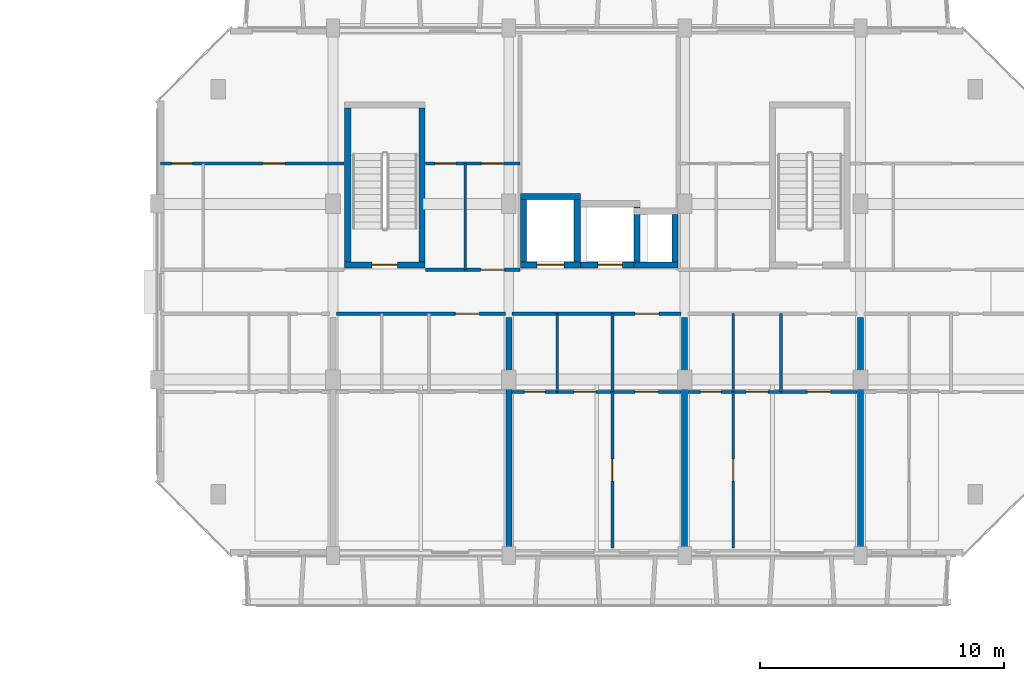
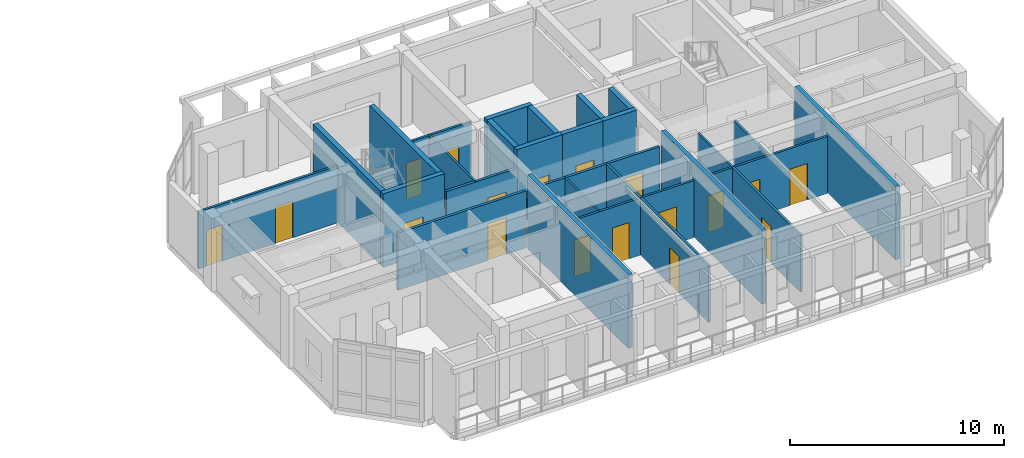
# One storey, part 57 of 85: 28 walls, 18 doors, 18 openings.
"""IFC4 building model written with IfcOpenShell, lengths in metres."""

from ifc_helpers import new_model, si_unit, direction, frame, frame_2d, origin, place, context, subcontext, project, spatial, rectangle, extrude, material, layer, layer_set, type_object, element, fill, save


model = new_model("IFC4")

# Units and contexts
model_context = context("Model", 3, precision=1e-05, world=origin(), true_north=direction((0.0, 1.0)))
body_context = subcontext(model_context, "Body", "Model", "MODEL_VIEW")
ifc_project = project(units=[si_unit("LENGTHUNIT", "METRE"), si_unit("AREAUNIT", "SQUARE_METRE"), si_unit("VOLUMEUNIT", "CUBIC_METRE"), si_unit("PLANEANGLEUNIT", "RADIAN"), si_unit("MASSUNIT", "GRAM", prefix="KILO")], contexts=[model_context])

# Site, building, storey
site_placement = place(None, origin())
site = spatial("IfcSite", under=ifc_project, at=site_placement, CompositionType="ELEMENT")
building_placement = place(site_placement, origin())
building = spatial("IfcBuilding", under=site, at=building_placement, Name="Ochrevale Crest", CompositionType="ELEMENT")
storey_placement = place(building_placement, frame((0.0, 0.0, 4.5)))
storey = spatial("IfcBuildingStorey", under=building, at=storey_placement, Name="L01", CompositionType="ELEMENT", Elevation=4.5)

# Wall, opening, door
ifc_material_1 = material(Name="Gypsum plasterboard", Category="gypsum")
ifc_layer_1 = layer(ifc_material_1, 0.139892578125)
ifc_layer_set_1 = layer_set([ifc_layer_1], Name="Gypsum plasterboard")
wall_type_1 = type_object("IfcWallType", Name="WL-COR-140", PredefinedType="PARTITIONING", material=ifc_layer_set_1)
wall_1_placement = place(storey_placement, frame((136.93994140625, 24.300048828125, 0.0), z_axis=(0.0, 0.0, 1.0), x_axis=(1.0, 0.0, 0.0)))
wall_1 = element("IfcWall", 1, at=wall_1_placement, inside=storey, type_object=wall_type_1, Name="Apartment C-L01-U2 corridor wall", PredefinedType="PARTITIONING", context=body_context, shape_type="SweptSolid", body=[
    extrude(rectangle(XDim=6.920166015625, YDim=0.139892578125, at=frame_2d((3.4599609375, 0.0))), origin(), (0.0, 0.0, 1.0), 3.25),
])
opening_1_placement = place(wall_1_placement, frame((4.8701171875, 0.0, 0.0)))
opening_1 = element("IfcOpeningElement", 2, at=opening_1_placement, cuts=wall_1, Name="Opening FD01", PredefinedType="OPENING", context=body_context, shape_type="SweptSolid", body=[
    extrude(rectangle(XDim=0.97998046875, YDim=2.10009765625, at=frame_2d((0.489990234375, 1.050048828125))), frame((0.0, 0.080078125, 0.0), z_axis=(0.0, -1.0, 0.0), x_axis=(1.0, 0.0, 0.0)), (0.0, 0.0, 1.0), 0.159912109375),
])
ifc_material_2 = material(Name="Solid-core FSC hardwood", Category="wood")
door_type_1 = type_object("IfcDoorType", Name="DR-APT-950", OperationType="NOTDEFINED", PredefinedType="DOOR", material=ifc_material_2)
door_1_placement = place(opening_1_placement, origin())
door_1 = element("IfcDoor", 3, at=door_1_placement, inside=storey, type_object=door_type_1, Name="Apartment C-L01-U2 entrance door", OperationType="SINGLE_SWING_LEFT", OverallHeight=2.10009765625, OverallWidth=0.97998046875, PredefinedType="DOOR", context=body_context, shape_type="SweptSolid", body=[
    extrude(rectangle(XDim=0.97998046875, YDim=2.10009765625, at=frame_2d((0.489990234375, 1.050048828125))), frame((0.0, 0.02490234375, 0.0), z_axis=(0.0, -1.0, 0.0), x_axis=(1.0, 0.0, 0.0)), (0.0, 0.0, 1.0), 0.050048828125),
])
fill(opening_1, door_1)

wall_2_placement = place(storey_placement, frame((144.139892578125, 24.300048828125, 0.0), z_axis=(0.0, 0.0, 1.0), x_axis=(1.0, 0.0, 0.0)))
wall_2 = element("IfcWall", 4, at=wall_2_placement, inside=storey, type_object=wall_type_1, Name="Apartment C-L01-U3 corridor wall", PredefinedType="PARTITIONING", context=body_context, shape_type="SweptSolid", body=[
    extrude(rectangle(XDim=6.920166015625, YDim=0.139892578125, at=frame_2d((3.4599609375, 0.0))), origin(), (0.0, 0.0, 1.0), 3.25),
])
opening_2_placement = place(wall_2_placement, frame((5.02001953125, 0.0, 0.0)))
opening_2 = element("IfcOpeningElement", 5, at=opening_2_placement, cuts=wall_2, Name="Opening FD01", PredefinedType="OPENING", context=body_context, shape_type="SweptSolid", body=[
    extrude(rectangle(XDim=0.97998046875, YDim=2.10009765625, at=frame_2d((0.489990234375, 1.050048828125))), frame((0.0, 0.080078125, 0.0), z_axis=(0.0, -1.0, 0.0), x_axis=(1.0, 0.0, 0.0)), (0.0, 0.0, 1.0), 0.159912109375),
])
door_2_placement = place(opening_2_placement, origin())
door_2 = element("IfcDoor", 6, at=door_2_placement, inside=storey, type_object=door_type_1, Name="Apartment C-L01-U3 entrance door", OperationType="SINGLE_SWING_LEFT", OverallHeight=2.10009765625, OverallWidth=0.97998046875, PredefinedType="DOOR", context=body_context, shape_type="SweptSolid", body=[
    extrude(rectangle(XDim=0.97998046875, YDim=2.10009765625, at=frame_2d((0.489990234375, 1.050048828125))), frame((0.0, 0.02490234375, 0.0), z_axis=(0.0, -1.0, 0.0), x_axis=(1.0, 0.0, 0.0)), (0.0, 0.0, 1.0), 0.050048828125),
])
fill(opening_2, door_2)

wall_3_placement = place(storey_placement, frame((140.590087890625, 26.10009765625, 0.0), z_axis=(0.0, 0.0, 1.0), x_axis=(1.0, 0.0, 0.0)))
wall_3 = element("IfcWall", 7, at=wall_3_placement, inside=storey, type_object=wall_type_1, Name="Suite C-L01-MW corridor wall", PredefinedType="PARTITIONING", context=body_context, shape_type="SweptSolid", body=[
    extrude(rectangle(XDim=3.869873046875, YDim=0.139892578125, at=frame_2d((1.93505859375, 0.0))), origin(), (0.0, 0.0, 1.0), 3.25),
])
opening_3_placement = place(wall_3_placement, frame((2.2578125, 0.0, 0.0)))
opening_3 = element("IfcOpeningElement", 8, at=opening_3_placement, cuts=wall_3, Name="Opening FD01", PredefinedType="OPENING", context=body_context, shape_type="SweptSolid", body=[
    extrude(rectangle(XDim=0.97998046875, YDim=2.10009765625, at=frame_2d((0.489990234375, 1.050048828125))), frame((0.0, 0.080078125, 0.0), z_axis=(0.0, -1.0, 0.0), x_axis=(1.0, 0.0, 0.0)), (0.0, 0.0, 1.0), 0.159912109375),
])
door_3_placement = place(opening_3_placement, origin())
door_3 = element("IfcDoor", 9, at=door_3_placement, inside=storey, type_object=door_type_1, Name="Suite C-L01-MW entrance door", OperationType="SINGLE_SWING_LEFT", OverallHeight=2.10009765625, OverallWidth=0.97998046875, PredefinedType="DOOR", context=body_context, shape_type="SweptSolid", body=[
    extrude(rectangle(XDim=0.97998046875, YDim=2.10009765625, at=frame_2d((0.489990234375, 1.050048828125))), frame((0.0, 0.02490234375, 0.0), z_axis=(0.0, -1.0, 0.0), x_axis=(1.0, 0.0, 0.0)), (0.0, 0.0, 1.0), 0.050048828125),
])
fill(opening_3, door_3)

ifc_material_3 = material(Name="Precast concrete C50/60", Category="concrete")
ifc_layer_2 = layer(ifc_material_3, 0.2548828125)
ifc_layer_set_2 = layer_set([ifc_layer_2], Name="Precast concrete C50/60")
wall_type_2 = type_object("IfcWallType", Name="WL-CORE-255", PredefinedType="SHEAR", material=ifc_layer_set_2)
wall_4_placement = place(storey_placement, frame((137.2724609375, 26.300048828125, 0.0), z_axis=(0.0, 0.0, 1.0), x_axis=(1.0, 0.0, 0.0)))
wall_4 = element("IfcWall", 10, at=wall_4_placement, inside=storey, type_object=wall_type_2, Name="Block C L01 Stair 1 precast core shear wall S", PredefinedType="SHEAR", context=body_context, shape_type="SweptSolid", body=[
    extrude(rectangle(XDim=3.304931640625, YDim=0.2548828125, at=frame_2d((1.65234375, 0.0))), origin(), (0.0, 0.0, 1.0), 4.199951171875),
])
opening_4_placement = place(wall_4_placement, frame((2.177490234375, 0.0, 0.0), z_axis=(0.0, 0.0, 1.0), x_axis=(-1.0, 0.0, 0.0)))
opening_4 = element("IfcOpeningElement", 11, at=opening_4_placement, cuts=wall_4, Name="Opening FD03", PredefinedType="OPENING", context=body_context, shape_type="SweptSolid", body=[
    extrude(rectangle(XDim=1.050048828125, YDim=2.1201171875, at=frame_2d((0.52490234375, 1.06005859375))), frame((0.0, 0.137451171875, 0.0), z_axis=(0.0, -1.0, 0.0), x_axis=(1.0, 0.0, 0.0)), (0.0, 0.0, 1.0), 0.27490234375),
])
door_type_2 = type_object("IfcDoorType", Name="DR-ST-1050", OperationType="NOTDEFINED", PredefinedType="DOOR", material=ifc_material_2)
door_4_placement = place(opening_4_placement, origin())
door_4 = element("IfcDoor", 12, at=door_4_placement, inside=storey, type_object=door_type_2, Name="Block C L01 fire stair 1 door", OperationType="SINGLE_SWING_RIGHT", OverallHeight=2.1201171875, OverallWidth=1.050048828125, PredefinedType="DOOR", context=body_context, shape_type="SweptSolid", body=[
    extrude(rectangle(XDim=1.050048828125, YDim=2.1201171875, at=frame_2d((0.52490234375, 1.06005859375))), frame((0.0, 0.02490234375, 0.0), z_axis=(0.0, -1.0, 0.0), x_axis=(1.0, 0.0, 0.0)), (0.0, 0.0, 1.0), 0.050048828125),
])
fill(opening_4, door_4)

# Walls
for number, where, z_axis, x_axis, name in (
    (13, (137.39990234375, 26.427490234375, 0.0), (0.0, 0.0, 1.0), (0.0, 1.0, 0.0), "Block C L01 Stair 1 precast core shear wall W"),
    (14, (140.449951171875, 26.427490234375, 0.0), (0.0, 0.0, 1.0), (0.0, 1.0, 0.0), "Block C L01 Stair 1 precast core shear wall E"),
):
    element("IfcWall", number, at=place(storey_placement, frame(where, z_axis=z_axis, x_axis=x_axis)), inside=storey, type_object=wall_type_2, Name=name, PredefinedType="SHEAR", context=body_context, shape_type="SweptSolid", body=[
        extrude(rectangle(XDim=6.294921875, YDim=0.2548828125, at=frame_2d((3.1474609375, 0.0))), origin(), (0.0, 0.0, 1.0), 4.199951171875),
    ])

# Wall, opening, door
wall_5_placement = place(storey_placement, frame((144.472412109375, 26.300048828125, 0.0), z_axis=(0.0, 0.0, 1.0), x_axis=(1.0, 0.0, 0.0)))
wall_5 = element("IfcWall", 15, at=wall_5_placement, inside=storey, type_object=wall_type_2, Name="Block C L01 Lift 1 precast shaft shear wall S", PredefinedType="SHEAR", context=body_context, shape_type="SweptSolid", body=[
    extrude(rectangle(XDim=2.455078125, YDim=0.2548828125, at=frame_2d((1.2275390625, 0.0))), origin(), (0.0, 0.0, 1.0), 4.199951171875),
])
opening_5_placement = place(wall_5_placement, frame((0.677490234375, 0.0, 0.0)))
opening_5 = element("IfcOpeningElement", 16, at=opening_5_placement, cuts=wall_5, Name="Opening LD01", PredefinedType="OPENING", context=body_context, shape_type="SweptSolid", body=[
    extrude(rectangle(XDim=1.10009765625, YDim=2.14990234375, at=frame_2d((0.550048828125, 1.074951171875))), frame((0.0, 0.137451171875, 0.0), z_axis=(0.0, -1.0, 0.0), x_axis=(1.0, 0.0, 0.0)), (0.0, 0.0, 1.0), 0.27490234375),
])
door_type_3 = type_object("IfcDoorType", Name="DR-LIFT-1100", OperationType="NOTDEFINED", PredefinedType="DOOR", material=ifc_material_2)
door_5_placement = place(opening_5_placement, origin())
door_5 = element("IfcDoor", 17, at=door_5_placement, inside=storey, type_object=door_type_3, Name="Lift LF-C1 L01 sliding landing door", OperationType="SLIDING_TO_LEFT", OverallHeight=2.14990234375, OverallWidth=1.10009765625, PredefinedType="DOOR", context=body_context, shape_type="SweptSolid", body=[
    extrude(rectangle(XDim=1.10009765625, YDim=2.14990234375, at=frame_2d((0.550048828125, 1.074951171875))), frame((0.0, 0.02490234375, 0.0), z_axis=(0.0, -1.0, 0.0), x_axis=(1.0, 0.0, 0.0)), (0.0, 0.0, 1.0), 0.050048828125),
])
fill(opening_5, door_5)

# Walls
wall_6_placement = place(storey_placement, frame((144.472412109375, 29.10009765625, 0.0), z_axis=(0.0, 0.0, 1.0), x_axis=(1.0, 0.0, 0.0)))
element("IfcWall", 18, at=wall_6_placement, inside=storey, type_object=wall_type_2, Name="Block C L01 Lift 1 precast shaft shear wall N", PredefinedType="SHEAR", context=body_context, shape_type="SweptSolid", body=[
    extrude(rectangle(XDim=2.455078125, YDim=0.2548828125, at=frame_2d((1.2275390625, 0.0))), origin(), (0.0, 0.0, 1.0), 4.199951171875),
])
for number, where, z_axis, x_axis, name in (
    (19, (144.60009765625, 26.427490234375, 0.0), (0.0, 0.0, 1.0), (0.0, 1.0, 0.0), "Block C L01 Lift 1 precast shaft shear wall W"),
    (20, (146.800048828125, 26.427490234375, 0.0), (0.0, 0.0, 1.0), (0.0, 1.0, 0.0), "Block C L01 Lift 1 precast shaft shear wall E"),
):
    element("IfcWall", number, at=place(storey_placement, frame(where, z_axis=z_axis, x_axis=x_axis)), inside=storey, type_object=wall_type_2, Name=name, PredefinedType="SHEAR", context=body_context, shape_type="SweptSolid", body=[
        extrude(rectangle(XDim=2.544921875, YDim=0.2548828125, at=frame_2d((1.2724609375, 0.0))), origin(), (0.0, 0.0, 1.0), 4.199951171875),
    ])

# Wall, opening, door
wall_7_placement = place(storey_placement, frame((146.922607421875, 26.300048828125, 0.0), z_axis=(0.0, 0.0, 1.0), x_axis=(1.0, 0.0, 0.0)))
wall_7 = element("IfcWall", 21, at=wall_7_placement, inside=storey, type_object=wall_type_2, Name="Block C L01 Lift 2 precast shaft shear wall S", PredefinedType="SHEAR", context=body_context, shape_type="SweptSolid", body=[
    extrude(rectangle(XDim=2.454833984375, YDim=0.2548828125, at=frame_2d((1.2275390625, 0.0))), origin(), (0.0, 0.0, 1.0), 4.199951171875),
])
opening_6_placement = place(wall_7_placement, frame((0.7275390625, 0.0, 0.0)))
opening_6 = element("IfcOpeningElement", 22, at=opening_6_placement, cuts=wall_7, Name="Opening LD02", PredefinedType="OPENING", context=body_context, shape_type="SweptSolid", body=[
    extrude(rectangle(XDim=1.0, YDim=2.14990234375, at=frame_2d((0.5, 1.074951171875))), frame((0.0, 0.137451171875, 0.0), z_axis=(0.0, -1.0, 0.0), x_axis=(1.0, 0.0, 0.0)), (0.0, 0.0, 1.0), 0.27490234375),
])
door_type_4 = type_object("IfcDoorType", Name="DR-LIFT-1000", OperationType="NOTDEFINED", PredefinedType="DOOR", material=ifc_material_2)
door_6_placement = place(opening_6_placement, origin())
door_6 = element("IfcDoor", 23, at=door_6_placement, inside=storey, type_object=door_type_4, Name="Lift LP-C2 L01 sliding landing door", OperationType="SLIDING_TO_RIGHT", OverallHeight=2.14990234375, OverallWidth=1.0, PredefinedType="DOOR", context=body_context, shape_type="SweptSolid", body=[
    extrude(rectangle(XDim=1.0, YDim=2.14990234375, at=frame_2d((0.5, 1.074951171875))), frame((0.0, 0.02490234375, 0.0), z_axis=(0.0, -1.0, 0.0), x_axis=(1.0, 0.0, 0.0)), (0.0, 0.0, 1.0), 0.050048828125),
])
fill(opening_6, door_6)

# Walls
wall_8_placement = place(storey_placement, frame((149.25, 26.427490234375, 0.0), z_axis=(0.0, 0.0, 1.0), x_axis=(0.0, 1.0, 0.0)))
element("IfcWall", 24, at=wall_8_placement, inside=storey, type_object=wall_type_2, Name="Block C L01 Lift 2 precast shaft shear wall E", PredefinedType="SHEAR", context=body_context, shape_type="SweptSolid", body=[
    extrude(rectangle(XDim=2.2451171875, YDim=0.2548828125, at=frame_2d((1.12255859375, 0.0))), origin(), (0.0, 0.0, 1.0), 4.199951171875),
])
wall_9_placement = place(storey_placement, frame((149.12255859375, 26.300048828125, 0.0), z_axis=(0.0, 0.0, 1.0), x_axis=(1.0, 0.0, 0.0)))
element("IfcWall", 25, at=wall_9_placement, inside=storey, type_object=wall_type_2, Name="Block C L01 services riser shaft core wall S", PredefinedType="SHEAR", context=body_context, shape_type="SweptSolid", body=[
    extrude(rectangle(XDim=1.804931640625, YDim=0.2548828125, at=frame_2d((0.90234375, 0.0))), origin(), (0.0, 0.0, 1.0), 4.199951171875),
])
wall_10_placement = place(storey_placement, frame((150.800048828125, 26.427490234375, 0.0), z_axis=(0.0, 0.0, 1.0), x_axis=(0.0, 1.0, 0.0)))
element("IfcWall", 26, at=wall_10_placement, inside=storey, type_object=wall_type_2, Name="Block C L01 services riser shaft core wall E", PredefinedType="SHEAR", context=body_context, shape_type="SweptSolid", body=[
    extrude(rectangle(XDim=1.945068359375, YDim=0.2548828125, at=frame_2d((0.97265625, 0.0))), origin(), (0.0, 0.0, 1.0), 4.199951171875),
])
ifc_layer_3 = layer(ifc_material_1, 0.1201171875)
ifc_layer_set_3 = layer_set([ifc_layer_3], Name="Gypsum plasterboard")
wall_type_3 = type_object("IfcWallType", Name="WL-PART-120", PredefinedType="PARTITIONING", material=ifc_layer_set_3)
wall_11_placement = place(storey_placement, frame((148.239990234375, 21.10009765625, 0.0), z_axis=(0.0, 0.0, 1.0), x_axis=(0.0, 1.0, 0.0)))
element("IfcWall", 27, at=wall_11_placement, inside=storey, type_object=wall_type_3, Name="Apartment C-L01-U3 kitchen-foyer wall", PredefinedType="PARTITIONING", context=body_context, shape_type="SweptSolid", body=[
    extrude(rectangle(XDim=3.199951171875, YDim=0.1201171875, at=frame_2d((1.60009765625, 0.0))), origin(), (0.0, 0.0, 1.0), 3.25),
])

# Wall, openings, doors
wall_12_placement = place(storey_placement, frame((144.139892578125, 21.10009765625, 0.0), z_axis=(0.0, 0.0, 1.0), x_axis=(1.0, 0.0, 0.0)))
wall_12 = element("IfcWall", 28, at=wall_12_placement, inside=storey, type_object=wall_type_3, Name="Apartment C-L01-U3 central partition", PredefinedType="PARTITIONING", context=body_context, shape_type="SweptSolid", body=[
    extrude(rectangle(XDim=6.920166015625, YDim=0.1201171875, at=frame_2d((3.4599609375, 0.0))), origin(), (0.0, 0.0, 1.0), 3.25),
])
opening_7_placement = place(wall_12_placement, frame((1.35009765625, 0.0, 0.0), z_axis=(0.0, 0.0, 1.0), x_axis=(-1.0, 0.0, 0.0)))
opening_7 = element("IfcOpeningElement", 29, at=opening_7_placement, cuts=wall_12, Name="Opening ID01", PredefinedType="OPENING", context=body_context, shape_type="SweptSolid", body=[
    extrude(rectangle(XDim=0.85009765625, YDim=2.080078125, at=frame_2d((0.425048828125, 1.0400390625))), frame((0.0, 0.070068359375, 0.0), z_axis=(0.0, -1.0, 0.0), x_axis=(1.0, 0.0, 0.0)), (0.0, 0.0, 1.0), 0.14013671875),
])
opening_8_placement = place(wall_12_placement, frame((2.52490234375, 0.0, 0.0)))
opening_8 = element("IfcOpeningElement", 30, at=opening_8_placement, cuts=wall_12, Name="Opening ID02", PredefinedType="OPENING", context=body_context, shape_type="SweptSolid", body=[
    extrude(rectangle(XDim=0.89990234375, YDim=2.080078125, at=frame_2d((0.449951171875, 1.0400390625))), frame((0.0, 0.070068359375, 0.0), z_axis=(0.0, -1.0, 0.0), x_axis=(1.0, 0.0, 0.0)), (0.0, 0.0, 1.0), 0.14013671875),
])
opening_9_placement = place(wall_12_placement, frame((5.98486328125, 0.0, 0.0), z_axis=(0.0, 0.0, 1.0), x_axis=(-1.0, 0.0, 0.0)))
opening_9 = element("IfcOpeningElement", 31, at=opening_9_placement, cuts=wall_12, Name="Opening ID06", PredefinedType="OPENING", context=body_context, shape_type="SweptSolid", body=[
    extrude(rectangle(XDim=0.949951171875, YDim=2.080078125, at=frame_2d((0.47509765625, 1.0400390625))), frame((0.0, 0.070068359375, 0.0), z_axis=(0.0, -1.0, 0.0), x_axis=(1.0, 0.0, 0.0)), (0.0, 0.0, 1.0), 0.14013671875),
])
door_type_5 = type_object("IfcDoorType", Name="DR-INT-900", OperationType="NOTDEFINED", PredefinedType="DOOR", material=ifc_material_2)
door_7_placement = place(opening_8_placement, origin())
door_7 = element("IfcDoor", 32, at=door_7_placement, inside=storey, type_object=door_type_5, Name="Apartment C-L01-U3 Kitchen door", OperationType="SINGLE_SWING_LEFT", OverallHeight=2.080078125, OverallWidth=0.89990234375, PredefinedType="DOOR", context=body_context, shape_type="SweptSolid", body=[
    extrude(rectangle(XDim=0.89990234375, YDim=2.080078125, at=frame_2d((0.449951171875, 1.0400390625))), frame((0.0, 0.02490234375, 0.0), z_axis=(0.0, -1.0, 0.0), x_axis=(1.0, 0.0, 0.0)), (0.0, 0.0, 1.0), 0.050048828125),
])
fill(opening_8, door_7)
door_type_6 = type_object("IfcDoorType", Name="DR-INT-950", OperationType="NOTDEFINED", PredefinedType="DOOR", material=ifc_material_2)
door_8_placement = place(opening_9_placement, origin())
door_8 = element("IfcDoor", 33, at=door_8_placement, inside=storey, type_object=door_type_6, Name="Apartment C-L01-U3 Living Foyer door", OperationType="SINGLE_SWING_RIGHT", OverallHeight=2.080078125, OverallWidth=0.949951171875, PredefinedType="DOOR", context=body_context, shape_type="SweptSolid", body=[
    extrude(rectangle(XDim=0.949951171875, YDim=2.080078125, at=frame_2d((0.47509765625, 1.0400390625))), frame((0.0, 0.02490234375, 0.0), z_axis=(0.0, -1.0, 0.0), x_axis=(1.0, 0.0, 0.0)), (0.0, 0.0, 1.0), 0.050048828125),
])
fill(opening_9, door_8)
door_type_7 = type_object("IfcDoorType", Name="DR-WC-850", OperationType="NOTDEFINED", PredefinedType="DOOR", material=ifc_material_2)
door_9_placement = place(opening_7_placement, origin())
door_9 = element("IfcDoor", 34, at=door_9_placement, inside=storey, type_object=door_type_7, Name="Apartment C-L01-U3 Bathroom door", OperationType="SINGLE_SWING_RIGHT", OverallHeight=2.080078125, OverallWidth=0.85009765625, PredefinedType="DOOR", context=body_context, shape_type="SweptSolid", body=[
    extrude(rectangle(XDim=0.85009765625, YDim=2.080078125, at=frame_2d((0.425048828125, 1.0400390625))), frame((0.0, 0.02490234375, 0.0), z_axis=(0.0, -1.0, 0.0), x_axis=(1.0, 0.0, 0.0)), (0.0, 0.0, 1.0), 0.050048828125),
])
fill(opening_7, door_9)

# Wall, opening, door
wall_13_placement = place(storey_placement, frame((148.239990234375, 14.699951171875, 0.0), z_axis=(0.0, 0.0, 1.0), x_axis=(0.0, 1.0, 0.0)))
wall_13 = element("IfcWall", 35, at=wall_13_placement, inside=storey, type_object=wall_type_3, Name="Apartment C-L01-U3 bedroom partition", PredefinedType="PARTITIONING", context=body_context, shape_type="SweptSolid", body=[
    extrude(rectangle(XDim=6.400146484375, YDim=0.1201171875, at=frame_2d((3.2001953125, 0.0))), origin(), (0.0, 0.0, 1.0), 3.25),
])
opening_10_placement = place(wall_13_placement, frame((2.75, 0.0, 0.0)))
opening_10 = element("IfcOpeningElement", 36, at=opening_10_placement, cuts=wall_13, Name="Opening ID02", PredefinedType="OPENING", context=body_context, shape_type="SweptSolid", body=[
    extrude(rectangle(XDim=0.89990234375, YDim=2.080078125, at=frame_2d((0.449951171875, 1.0400390625))), frame((0.0, 0.070068359375, 0.0), z_axis=(0.0, -1.0, 0.0), x_axis=(1.0, 0.0, 0.0)), (0.0, 0.0, 1.0), 0.14013671875),
])
door_10_placement = place(opening_10_placement, origin())
door_10 = element("IfcDoor", 37, at=door_10_placement, inside=storey, type_object=door_type_5, Name="Apartment C-L01-U3 Double Bedroom door", OperationType="SINGLE_SWING_LEFT", OverallHeight=2.080078125, OverallWidth=0.89990234375, PredefinedType="DOOR", context=body_context, shape_type="SweptSolid", body=[
    extrude(rectangle(XDim=0.89990234375, YDim=2.080078125, at=frame_2d((0.449951171875, 1.0400390625))), frame((0.0, 0.02490234375, 0.0), z_axis=(0.0, -1.0, 0.0), x_axis=(1.0, 0.0, 0.0)), (0.0, 0.0, 1.0), 0.050048828125),
])
fill(opening_10, door_10)

# Wall
wall_14_placement = place(storey_placement, frame((155.139892578125, 21.10009765625, 0.0), z_axis=(0.0, 0.0, 1.0), x_axis=(0.0, 1.0, 0.0)))
element("IfcWall", 38, at=wall_14_placement, inside=storey, type_object=wall_type_3, Name="Apartment C-L01-U4 kitchen-foyer wall", PredefinedType="PARTITIONING", context=body_context, shape_type="SweptSolid", body=[
    extrude(rectangle(XDim=3.199951171875, YDim=0.1201171875, at=frame_2d((1.60009765625, 0.0))), origin(), (0.0, 0.0, 1.0), 3.25),
])

# Wall, openings, doors
wall_15_placement = place(storey_placement, frame((151.340087890625, 21.10009765625, 0.0), z_axis=(0.0, 0.0, 1.0), x_axis=(1.0, 0.0, 0.0)))
wall_15 = element("IfcWall", 39, at=wall_15_placement, inside=storey, type_object=wall_type_3, Name="Apartment C-L01-U4 central partition", PredefinedType="PARTITIONING", context=body_context, shape_type="SweptSolid", body=[
    extrude(rectangle(XDim=6.919921875, YDim=0.1201171875, at=frame_2d((3.4599609375, 0.0))), origin(), (0.0, 0.0, 1.0), 3.25),
])
opening_11_placement = place(wall_15_placement, frame((0.5, 0.0, 0.0)))
opening_11 = element("IfcOpeningElement", 40, at=opening_11_placement, cuts=wall_15, Name="Opening ID01", PredefinedType="OPENING", context=body_context, shape_type="SweptSolid", body=[
    extrude(rectangle(XDim=0.85009765625, YDim=2.080078125, at=frame_2d((0.425048828125, 1.0400390625))), frame((0.0, 0.070068359375, 0.0), z_axis=(0.0, -1.0, 0.0), x_axis=(1.0, 0.0, 0.0)), (0.0, 0.0, 1.0), 0.14013671875),
])
opening_12_placement = place(wall_15_placement, frame((3.27490234375, 0.0, 0.0), z_axis=(0.0, 0.0, 1.0), x_axis=(-1.0, 0.0, 0.0)))
opening_12 = element("IfcOpeningElement", 41, at=opening_12_placement, cuts=wall_15, Name="Opening ID02", PredefinedType="OPENING", context=body_context, shape_type="SweptSolid", body=[
    extrude(rectangle(XDim=0.89990234375, YDim=2.080078125, at=frame_2d((0.449951171875, 1.0400390625))), frame((0.0, 0.070068359375, 0.0), z_axis=(0.0, -1.0, 0.0), x_axis=(1.0, 0.0, 0.0)), (0.0, 0.0, 1.0), 0.14013671875),
])
opening_13_placement = place(wall_15_placement, frame((4.885009765625, 0.0, 0.0)))
opening_13 = element("IfcOpeningElement", 42, at=opening_13_placement, cuts=wall_15, Name="Opening ID06", PredefinedType="OPENING", context=body_context, shape_type="SweptSolid", body=[
    extrude(rectangle(XDim=0.949951171875, YDim=2.080078125, at=frame_2d((0.47509765625, 1.0400390625))), frame((0.0, 0.070068359375, 0.0), z_axis=(0.0, -1.0, 0.0), x_axis=(1.0, 0.0, 0.0)), (0.0, 0.0, 1.0), 0.14013671875),
])
door_11_placement = place(opening_12_placement, origin())
door_11 = element("IfcDoor", 43, at=door_11_placement, inside=storey, type_object=door_type_5, Name="Apartment C-L01-U4 Kitchen door", OperationType="SINGLE_SWING_RIGHT", OverallHeight=2.080078125, OverallWidth=0.89990234375, PredefinedType="DOOR", context=body_context, shape_type="SweptSolid", body=[
    extrude(rectangle(XDim=0.89990234375, YDim=2.080078125, at=frame_2d((0.449951171875, 1.0400390625))), frame((0.0, 0.02490234375, 0.0), z_axis=(0.0, -1.0, 0.0), x_axis=(1.0, 0.0, 0.0)), (0.0, 0.0, 1.0), 0.050048828125),
])
fill(opening_12, door_11)
door_12_placement = place(opening_13_placement, origin())
door_12 = element("IfcDoor", 44, at=door_12_placement, inside=storey, type_object=door_type_6, Name="Apartment C-L01-U4 Living Foyer door", OperationType="SINGLE_SWING_LEFT", OverallHeight=2.080078125, OverallWidth=0.949951171875, PredefinedType="DOOR", context=body_context, shape_type="SweptSolid", body=[
    extrude(rectangle(XDim=0.949951171875, YDim=2.080078125, at=frame_2d((0.47509765625, 1.0400390625))), frame((0.0, 0.02490234375, 0.0), z_axis=(0.0, -1.0, 0.0), x_axis=(1.0, 0.0, 0.0)), (0.0, 0.0, 1.0), 0.050048828125),
])
fill(opening_13, door_12)
door_13_placement = place(opening_11_placement, origin())
door_13 = element("IfcDoor", 45, at=door_13_placement, inside=storey, type_object=door_type_7, Name="Apartment C-L01-U4 Bathroom door", OperationType="SINGLE_SWING_LEFT", OverallHeight=2.080078125, OverallWidth=0.85009765625, PredefinedType="DOOR", context=body_context, shape_type="SweptSolid", body=[
    extrude(rectangle(XDim=0.85009765625, YDim=2.080078125, at=frame_2d((0.425048828125, 1.0400390625))), frame((0.0, 0.02490234375, 0.0), z_axis=(0.0, -1.0, 0.0), x_axis=(1.0, 0.0, 0.0)), (0.0, 0.0, 1.0), 0.050048828125),
])
fill(opening_11, door_13)

# Wall, opening, door
wall_16_placement = place(storey_placement, frame((153.18994140625, 14.699951171875, 0.0), z_axis=(0.0, 0.0, 1.0), x_axis=(0.0, 1.0, 0.0)))
wall_16 = element("IfcWall", 46, at=wall_16_placement, inside=storey, type_object=wall_type_3, Name="Apartment C-L01-U4 bedroom partition", PredefinedType="PARTITIONING", context=body_context, shape_type="SweptSolid", body=[
    extrude(rectangle(XDim=6.400146484375, YDim=0.1201171875, at=frame_2d((3.2001953125, 0.0))), origin(), (0.0, 0.0, 1.0), 3.25),
])
opening_14_placement = place(wall_16_placement, frame((3.64990234375, 0.0, 0.0), z_axis=(0.0, 0.0, 1.0), x_axis=(-1.0, 0.0, 0.0)))
opening_14 = element("IfcOpeningElement", 47, at=opening_14_placement, cuts=wall_16, Name="Opening ID02", PredefinedType="OPENING", context=body_context, shape_type="SweptSolid", body=[
    extrude(rectangle(XDim=0.89990234375, YDim=2.080078125, at=frame_2d((0.449951171875, 1.0400390625))), frame((0.0, 0.070068359375, 0.0), z_axis=(0.0, -1.0, 0.0), x_axis=(1.0, 0.0, 0.0)), (0.0, 0.0, 1.0), 0.14013671875),
])
door_14_placement = place(opening_14_placement, origin())
door_14 = element("IfcDoor", 48, at=door_14_placement, inside=storey, type_object=door_type_5, Name="Apartment C-L01-U4 Master Bedroom door", OperationType="SINGLE_SWING_RIGHT", OverallHeight=2.080078125, OverallWidth=0.89990234375, PredefinedType="DOOR", context=body_context, shape_type="SweptSolid", body=[
    extrude(rectangle(XDim=0.89990234375, YDim=2.080078125, at=frame_2d((0.449951171875, 1.0400390625))), frame((0.0, 0.02490234375, 0.0), z_axis=(0.0, -1.0, 0.0), x_axis=(1.0, 0.0, 0.0)), (0.0, 0.0, 1.0), 0.050048828125),
])
fill(opening_14, door_14)

# Wall, openings, doors
wall_17_placement = place(storey_placement, frame((129.739990234375, 30.449951171875, 0.0), z_axis=(0.0, 0.0, 1.0), x_axis=(1.0, 0.0, 0.0)))
wall_17 = element("IfcWall", 49, at=wall_17_placement, inside=storey, type_object=wall_type_3, Name="Suite C-L01-CW internal wall", PredefinedType="PARTITIONING", context=body_context, shape_type="SweptSolid", body=[
    extrude(rectangle(XDim=7.52001953125, YDim=0.1201171875, at=frame_2d((3.760009765625, 0.0))), origin(), (0.0, 0.0, 1.0), 3.25),
])
opening_15_placement = place(wall_17_placement, frame((0.449951171875, 0.0, 0.0)))
opening_15 = element("IfcOpeningElement", 50, at=opening_15_placement, cuts=wall_17, Name="Opening ID01", PredefinedType="OPENING", context=body_context, shape_type="SweptSolid", body=[
    extrude(rectangle(XDim=0.85009765625, YDim=2.080078125, at=frame_2d((0.425048828125, 1.0400390625))), frame((0.0, 0.070068359375, 0.0), z_axis=(0.0, -1.0, 0.0), x_axis=(1.0, 0.0, 0.0)), (0.0, 0.0, 1.0), 0.14013671875),
])
opening_16_placement = place(wall_17_placement, frame((5.094970703125, 0.0, 0.0), z_axis=(0.0, 0.0, 1.0), x_axis=(-1.0, 0.0, 0.0)))
opening_16 = element("IfcOpeningElement", 51, at=opening_16_placement, cuts=wall_17, Name="Opening ID04", PredefinedType="OPENING", context=body_context, shape_type="SweptSolid", body=[
    extrude(rectangle(XDim=0.919921875, YDim=2.080078125, at=frame_2d((0.4599609375, 1.0400390625))), frame((0.0, 0.070068359375, 0.0), z_axis=(0.0, -1.0, 0.0), x_axis=(1.0, 0.0, 0.0)), (0.0, 0.0, 1.0), 0.14013671875),
])
door_type_8 = type_object("IfcDoorType", Name="DR-INT-920", OperationType="NOTDEFINED", PredefinedType="DOOR", material=ifc_material_2)
door_15_placement = place(opening_16_placement, origin())
door_15 = element("IfcDoor", 52, at=door_15_placement, inside=storey, type_object=door_type_8, Name="Suite C-L01-CW Quiet Reading Room door", OperationType="SINGLE_SWING_RIGHT", OverallHeight=2.080078125, OverallWidth=0.919921875, PredefinedType="DOOR", context=body_context, shape_type="SweptSolid", body=[
    extrude(rectangle(XDim=0.919921875, YDim=2.080078125, at=frame_2d((0.4599609375, 1.0400390625))), frame((0.0, 0.02490234375, 0.0), z_axis=(0.0, -1.0, 0.0), x_axis=(1.0, 0.0, 0.0)), (0.0, 0.0, 1.0), 0.050048828125),
])
fill(opening_16, door_15)
door_16_placement = place(opening_15_placement, origin())
door_16 = element("IfcDoor", 53, at=door_16_placement, inside=storey, type_object=door_type_7, Name="Suite C-L01-CW Bathroom door", OperationType="SINGLE_SWING_LEFT", OverallHeight=2.080078125, OverallWidth=0.85009765625, PredefinedType="DOOR", context=body_context, shape_type="SweptSolid", body=[
    extrude(rectangle(XDim=0.85009765625, YDim=2.080078125, at=frame_2d((0.425048828125, 1.0400390625))), frame((0.0, 0.02490234375, 0.0), z_axis=(0.0, -1.0, 0.0), x_axis=(1.0, 0.0, 0.0)), (0.0, 0.0, 1.0), 0.050048828125),
])
fill(opening_15, door_16)

wall_18_placement = place(storey_placement, frame((140.590087890625, 30.449951171875, 0.0), z_axis=(0.0, 0.0, 1.0), x_axis=(1.0, 0.0, 0.0)))
wall_18 = element("IfcWall", 54, at=wall_18_placement, inside=storey, type_object=wall_type_3, Name="Suite C-L01-MW internal wall", PredefinedType="PARTITIONING", context=body_context, shape_type="SweptSolid", body=[
    extrude(rectangle(XDim=3.869873046875, YDim=0.1201171875, at=frame_2d((1.93505859375, 0.0))), origin(), (0.0, 0.0, 1.0), 3.25),
])
opening_17_placement = place(wall_18_placement, frame((1.23779296875, 0.0, 0.0), z_axis=(0.0, 0.0, 1.0), x_axis=(-1.0, 0.0, 0.0)))
opening_17 = element("IfcOpeningElement", 55, at=opening_17_placement, cuts=wall_18, Name="Opening ID01", PredefinedType="OPENING", context=body_context, shape_type="SweptSolid", body=[
    extrude(rectangle(XDim=0.85009765625, YDim=2.080078125, at=frame_2d((0.425048828125, 1.0400390625))), frame((0.0, 0.070068359375, 0.0), z_axis=(0.0, -1.0, 0.0), x_axis=(1.0, 0.0, 0.0)), (0.0, 0.0, 1.0), 0.14013671875),
])
opening_18_placement = place(wall_18_placement, frame((2.28759765625, 0.0, 0.0)))
opening_18 = element("IfcOpeningElement", 56, at=opening_18_placement, cuts=wall_18, Name="Opening ID04", PredefinedType="OPENING", context=body_context, shape_type="SweptSolid", body=[
    extrude(rectangle(XDim=0.919921875, YDim=2.080078125, at=frame_2d((0.4599609375, 1.0400390625))), frame((0.0, 0.070068359375, 0.0), z_axis=(0.0, -1.0, 0.0), x_axis=(1.0, 0.0, 0.0)), (0.0, 0.0, 1.0), 0.14013671875),
])
door_17_placement = place(opening_18_placement, origin())
door_17 = element("IfcDoor", 57, at=door_17_placement, inside=storey, type_object=door_type_8, Name="Suite C-L01-MW Courtyard Studio Living door", OperationType="SINGLE_SWING_LEFT", OverallHeight=2.080078125, OverallWidth=0.919921875, PredefinedType="DOOR", context=body_context, shape_type="SweptSolid", body=[
    extrude(rectangle(XDim=0.919921875, YDim=2.080078125, at=frame_2d((0.4599609375, 1.0400390625))), frame((0.0, 0.02490234375, 0.0), z_axis=(0.0, -1.0, 0.0), x_axis=(1.0, 0.0, 0.0)), (0.0, 0.0, 1.0), 0.050048828125),
])
fill(opening_18, door_17)
door_18_placement = place(opening_17_placement, origin())
door_18 = element("IfcDoor", 58, at=door_18_placement, inside=storey, type_object=door_type_7, Name="Suite C-L01-MW Bathroom door", OperationType="SINGLE_SWING_RIGHT", OverallHeight=2.080078125, OverallWidth=0.85009765625, PredefinedType="DOOR", context=body_context, shape_type="SweptSolid", body=[
    extrude(rectangle(XDim=0.85009765625, YDim=2.080078125, at=frame_2d((0.425048828125, 1.0400390625))), frame((0.0, 0.02490234375, 0.0), z_axis=(0.0, -1.0, 0.0), x_axis=(1.0, 0.0, 0.0)), (0.0, 0.0, 1.0), 0.050048828125),
])
fill(opening_17, door_18)

# Walls
ifc_layer_4 = layer(ifc_material_3, 0.239990234375)
ifc_layer_set_4 = layer_set([ifc_layer_4], Name="Precast concrete C50/60")
wall_type_4 = type_object("IfcWallType", Name="WL-SHEAR-240", PredefinedType="SHEAR", material=ifc_layer_set_4)
for number, where, z_axis, x_axis, name in (
    (59, (144.0, 14.75, 0.0), (0.0, 0.0, 1.0), (0.0, 1.0, 0.0), "Block C L01 load-bearing precast cross-wall X=144.0"),
    (60, (151.199951171875, 14.75, 0.0), (0.0, 0.0, 1.0), (0.0, 1.0, 0.0), "Block C L01 load-bearing precast cross-wall X=151.2"),
    (61, (158.39990234375, 14.75, 0.0), (0.0, 0.0, 1.0), (0.0, 1.0, 0.0), "Block C L01 load-bearing precast cross-wall X=158.4"),
):
    element("IfcWall", number, at=place(storey_placement, frame(where, z_axis=z_axis, x_axis=x_axis)), inside=storey, type_object=wall_type_4, Name=name, PredefinedType="SHEAR", context=body_context, shape_type="SweptSolid", body=[
        extrude(rectangle(XDim=9.39990234375, YDim=0.239990234375, at=frame_2d((4.699951171875, 0.0))), origin(), (0.0, 0.0, 1.0), 4.199951171875),
    ])
ifc_layer_5 = layer(ifc_material_1, 0.10009765625)
ifc_layer_set_5 = layer_set([ifc_layer_5], Name="Gypsum plasterboard")
wall_type_5 = type_object("IfcWallType", Name="WL-WET-100", PredefinedType="PARTITIONING", material=ifc_layer_set_5)
for number, where, z_axis, x_axis, name in (
    (62, (145.989990234375, 21.10009765625, 0.0), (0.0, 0.0, 1.0), (0.0, 1.0, 0.0), "Apartment C-L01-U3 bath-kitchen wall"),
    (63, (153.18994140625, 21.10009765625, 0.0), (0.0, 0.0, 1.0), (0.0, 1.0, 0.0), "Apartment C-L01-U4 bath-kitchen wall"),
):
    element("IfcWall", number, at=place(storey_placement, frame(where, z_axis=z_axis, x_axis=x_axis)), inside=storey, type_object=wall_type_5, Name=name, PredefinedType="PARTITIONING", context=body_context, shape_type="SweptSolid", body=[
        extrude(rectangle(XDim=3.199951171875, YDim=0.10009765625, at=frame_2d((1.60009765625, 0.0))), origin(), (0.0, 0.0, 1.0), 3.25),
    ])
wall_19_placement = place(storey_placement, frame((142.21533203125, 26.10009765625, 0.0), z_axis=(0.0, 0.0, 1.0), x_axis=(0.0, 1.0, 0.0)))
element("IfcWall", 64, at=wall_19_placement, inside=storey, type_object=wall_type_5, Name="Suite C-L01-MW bathroom divider", PredefinedType="PARTITIONING", context=body_context, shape_type="SweptSolid", body=[
    extrude(rectangle(XDim=4.349853515625, YDim=0.10009765625, at=frame_2d((2.1748046875, 0.0))), origin(), (0.0, 0.0, 1.0), 3.25),
])

save(model, "model.ifc")
